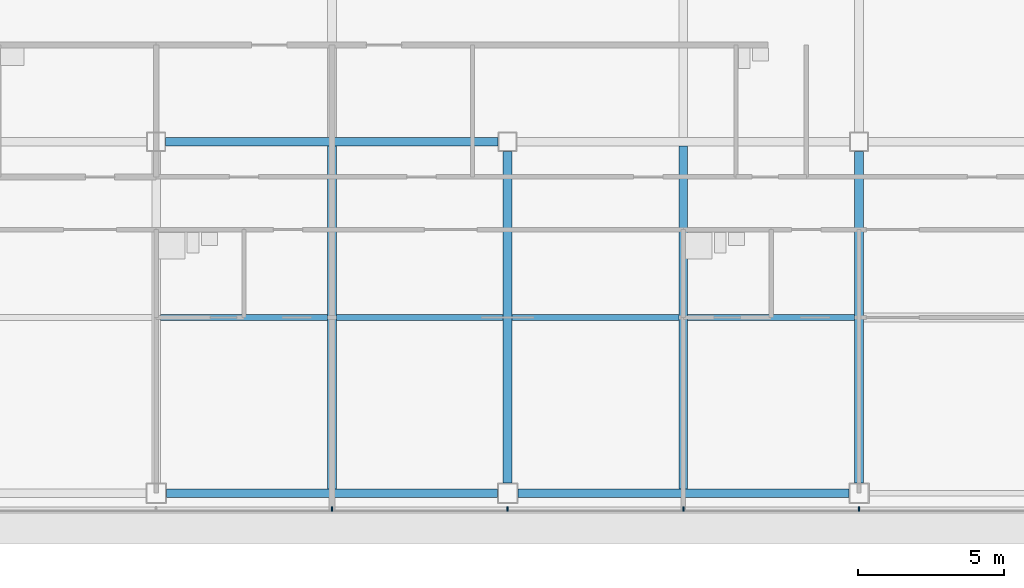
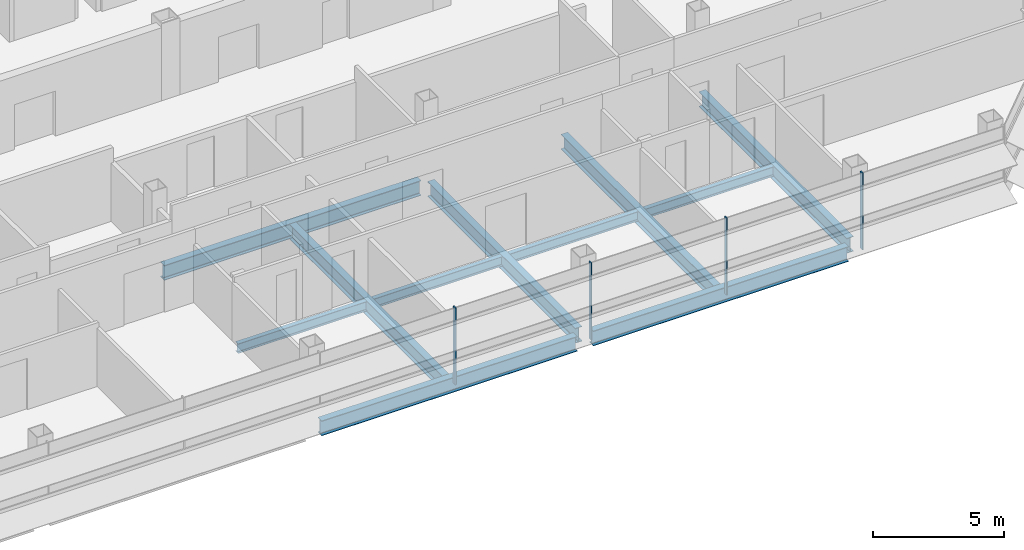
# One storey, part 8 of 24: 11 beams, 4 members, 1 element without a shape of its own.
"""IFC4 building model written with IfcOpenShell, lengths in metres."""

from ifc_helpers import new_model, si_unit, direction, frame, origin, origin_2d, place, context, subcontext, project, spatial, rectangle, i_section, extrude, material, material_profile, profile_set, type_object, element, aggregate, save


model = new_model("IFC4")

# Units and contexts
model_context = context("Model", 3, precision=1e-05, world=origin(), true_north=direction((0.0, 1.0)))
body_context = subcontext(model_context, "Body", "Model", "MODEL_VIEW")
ifc_project = project(units=[si_unit("LENGTHUNIT", "METRE"), si_unit("AREAUNIT", "SQUARE_METRE"), si_unit("VOLUMEUNIT", "CUBIC_METRE"), si_unit("PLANEANGLEUNIT", "RADIAN"), si_unit("MASSUNIT", "GRAM", prefix="KILO")], contexts=[model_context])

# Site, building, storey
site_placement = place(None, origin())
site = spatial("IfcSite", under=ifc_project, at=site_placement, CompositionType="ELEMENT")
building_placement = place(site_placement, origin())
building = spatial("IfcBuilding", under=site, at=building_placement, Name="Sorahane Residences", CompositionType="ELEMENT")
storey_placement = place(building_placement, frame((0.0, 0.0, 178.0)))
storey = spatial("IfcBuildingStorey", under=building, at=storey_placement, Name="L41", CompositionType="ELEMENT", Elevation=178.0)

# Curtain wall, members
ifc_material_1 = material(Name="Dark low-e glass and black anodised aluminium", Category="aluminium")
curtain_wall_type = type_object("IfcCurtainWallType", Name="Curtain wall CW-1 Typical unitised wall", PredefinedType="NOTDEFINED", material=ifc_material_1)
curtain_wall_placement = place(storey_placement, origin())
curtain_wall = element("IfcCurtainWall", 1, at=curtain_wall_placement, inside=storey, type_object=curtain_wall_type, Name="CW-1 curtain wall L41 S1", PredefinedType="NOTDEFINED")
ifc_material_2 = material(Name="Black anodised aluminium", Category="aluminium")
ifc_material_profile_1 = material_profile(ifc_material_2, rectangle(XDim=0.159912109375, YDim=0.050048828125, at=origin_2d()), Name="Curtain wall mullion CW-1 black anodised aluminium 50x160")
ifc_profile_set_1 = profile_set([ifc_material_profile_1], Name="Black anodised aluminium")
member_type = type_object("IfcMemberType", Name="Curtain wall mullion CW-1 black anodised aluminium 50x160", PredefinedType="MULLION", material=ifc_profile_set_1)
member_1_placement = place(storey_placement, frame((30.0, -0.5400390625, -0.179931640625), z_axis=(0.0, 0.0, 1.0), x_axis=(0.0, -1.0, 0.0)))
member_1 = element("IfcMember", 2, at=member_1_placement, type_object=member_type, Name="CW-1 mullion L41 S1.6", PredefinedType="MULLION", context=body_context, shape_type="SweptSolid", body=[
    extrude(rectangle(XDim=0.159912109375, YDim=0.050048828125, at=origin_2d()), origin(), (0.0, 0.0, 1.0), 3.599853515625),
])
member_2_placement = place(storey_placement, frame((36.0, -0.5400390625, -0.179931640625), z_axis=(0.0, 0.0, 1.0), x_axis=(0.0, -1.0, 0.0)))
member_2 = element("IfcMember", 3, at=member_2_placement, type_object=member_type, Name="CW-1 mullion L41 S1.7", PredefinedType="MULLION", context=body_context, shape_type="SweptSolid", body=[
    extrude(rectangle(XDim=0.159912109375, YDim=0.050048828125, at=origin_2d()), origin(), (0.0, 0.0, 1.0), 3.599853515625),
])
member_3_placement = place(storey_placement, frame((42.0, -0.5400390625, -0.179931640625), z_axis=(0.0, 0.0, 1.0), x_axis=(0.0, -1.0, 0.0)))
member_3 = element("IfcMember", 4, at=member_3_placement, type_object=member_type, Name="CW-1 mullion L41 S1.8", PredefinedType="MULLION", context=body_context, shape_type="SweptSolid", body=[
    extrude(rectangle(XDim=0.159912109375, YDim=0.050048828125, at=origin_2d()), origin(), (0.0, 0.0, 1.0), 3.599853515625),
])
member_4_placement = place(storey_placement, frame((48.0, -0.5400390625, -0.179931640625), z_axis=(0.0, 0.0, 1.0), x_axis=(0.0, -1.0, 0.0)))
member_4 = element("IfcMember", 5, at=member_4_placement, type_object=member_type, Name="CW-1 mullion L41 S1.9", PredefinedType="MULLION", context=body_context, shape_type="SweptSolid", body=[
    extrude(rectangle(XDim=0.159912109375, YDim=0.050048828125, at=origin_2d()), origin(), (0.0, 0.0, 1.0), 3.599853515625),
])
aggregate(curtain_wall, [member_1, member_2, member_3, member_4])

# Beams
ifc_material_3 = material(Name="Steel Q355B", Category="steel")
ifc_material_profile_2 = material_profile(ifc_material_3, i_section(OverallWidth=0.199951171875, OverallDepth=0.449951171875, WebThickness=0.009033203125, FlangeThickness=0.013916015625, FilletRadius=0.02001953125, at=origin_2d()), Name="HN 450x200x9x14")
ifc_profile_set_2 = profile_set([ifc_material_profile_2], Name="Steel Q355B")
beam_type_1 = type_object("IfcBeamType", Name="Steel floor beam HN 450x200x9x14 Q355B", PredefinedType="BEAM", material=ifc_profile_set_2)
for number, where, z_axis, x_axis, name in (
    (6, (24.14990234375, 6.0, -0.405029296875), (1.0, 0.0, 0.0), (0.0, 1.0, 0.0), "Beam L41 073"),
    (7, (30.14990234375, 6.0, -0.405029296875), (1.0, 0.0, 0.0), (0.0, 1.0, 0.0), "Beam L41 074"),
    (8, (36.14990234375, 6.0, -0.405029296875), (1.0, 0.0, 0.0), (0.0, 1.0, 0.0), "Beam L41 075"),
    (9, (42.14990234375, 6.0, -0.405029296875), (1.0, 0.0, 0.0), (0.0, 1.0, 0.0), "Beam L41 076"),
):
    element("IfcBeam", number, at=place(storey_placement, frame(where, z_axis=z_axis, x_axis=x_axis)), inside=storey, type_object=beam_type_1, Name=name, PredefinedType="BEAM", context=body_context, shape_type="SweptSolid", body=[
        extrude(i_section(OverallWidth=0.199951171875, OverallDepth=0.449951171875, WebThickness=0.009033203125, FlangeThickness=0.013916015625, FilletRadius=0.02001953125, at=origin_2d()), origin(), (0.0, 0.0, 1.0), 5.7001953125),
    ])
ifc_material_4 = material(Name="Steel Q355B", Category="steel")
ifc_material_profile_3 = material_profile(ifc_material_4, i_section(OverallWidth=0.300048828125, OverallDepth=0.699951171875, WebThickness=0.012939453125, FlangeThickness=0.02392578125, FilletRadius=0.028076171875, at=origin_2d()), Name="HN 700x300x13x24")
ifc_profile_set_3 = profile_set([ifc_material_profile_3], Name="Steel Q355B")
beam_type_2 = type_object("IfcBeamType", Name="Steel floor beam HN 700x300x13x24 Q355B", PredefinedType="BEAM", material=ifc_profile_set_3)
for number, where, z_axis, x_axis, name in (
    (10, (24.35009765625, 0.0, -0.530029296875), (1.0, 0.0, 0.0), (0.0, 1.0, 0.0), "Beam L41 002"),
    (11, (36.35009765625, 0.0, -0.530029296875), (1.0, 0.0, 0.0), (0.0, 1.0, 0.0), "Beam L41 003"),
):
    element("IfcBeam", number, at=place(storey_placement, frame(where, z_axis=z_axis, x_axis=x_axis)), inside=storey, type_object=beam_type_2, Name=name, PredefinedType="BEAM", context=body_context, shape_type="SweptSolid", body=[
        extrude(i_section(OverallWidth=0.300048828125, OverallDepth=0.699951171875, WebThickness=0.012939453125, FlangeThickness=0.02392578125, FilletRadius=0.028076171875, at=origin_2d()), origin(), (0.0, 0.0, 1.0), 11.2998046875),
    ])
beam_1_placement = place(storey_placement, frame((24.324951171875, 12.0, -0.530029296875), z_axis=(1.0, 0.0, 0.0), x_axis=(0.0, 1.0, 0.0)))
element("IfcBeam", 12, at=beam_1_placement, inside=storey, type_object=beam_type_2, Name="Beam L41 008", PredefinedType="BEAM", context=body_context, shape_type="SweptSolid", body=[
    extrude(i_section(OverallWidth=0.300048828125, OverallDepth=0.699951171875, WebThickness=0.012939453125, FlangeThickness=0.02392578125, FilletRadius=0.028076171875, at=origin_2d()), origin(), (0.0, 0.0, 1.0), 11.35009765625),
])
beam_2_placement = place(storey_placement, frame((30.0, 0.14990234375, -0.530029296875), z_axis=(0.0, 1.0, 0.0), x_axis=(-1.0, 0.0, 0.0)))
element("IfcBeam", 13, at=beam_2_placement, inside=storey, type_object=beam_type_2, Name="Beam L41 044", PredefinedType="BEAM", context=body_context, shape_type="SweptSolid", body=[
    extrude(i_section(OverallWidth=0.300048828125, OverallDepth=0.699951171875, WebThickness=0.012939453125, FlangeThickness=0.02392578125, FilletRadius=0.028076171875, at=origin_2d()), origin(), (0.0, 0.0, 1.0), 11.7001953125),
])
beam_3_placement = place(storey_placement, frame((36.0, 0.35009765625, -0.530029296875), z_axis=(0.0, 1.0, 0.0), x_axis=(-1.0, 0.0, 0.0)))
element("IfcBeam", 14, at=beam_3_placement, inside=storey, type_object=beam_type_2, Name="Beam L41 050", PredefinedType="BEAM", context=body_context, shape_type="SweptSolid", body=[
    extrude(i_section(OverallWidth=0.300048828125, OverallDepth=0.699951171875, WebThickness=0.012939453125, FlangeThickness=0.02392578125, FilletRadius=0.028076171875, at=origin_2d()), origin(), (0.0, 0.0, 1.0), 11.324951171875),
])
beam_4_placement = place(storey_placement, frame((42.0, 0.14990234375, -0.530029296875), z_axis=(0.0, 1.0, 0.0), x_axis=(-1.0, 0.0, 0.0)))
element("IfcBeam", 15, at=beam_4_placement, inside=storey, type_object=beam_type_2, Name="Beam L41 052", PredefinedType="BEAM", context=body_context, shape_type="SweptSolid", body=[
    extrude(i_section(OverallWidth=0.300048828125, OverallDepth=0.699951171875, WebThickness=0.012939453125, FlangeThickness=0.02392578125, FilletRadius=0.028076171875, at=origin_2d()), origin(), (0.0, 0.0, 1.0), 11.7001953125),
])
beam_5_placement = place(storey_placement, frame((48.0, 0.35009765625, -0.530029296875), z_axis=(0.0, 1.0, 0.0), x_axis=(-1.0, 0.0, 0.0)))
element("IfcBeam", 16, at=beam_5_placement, inside=storey, type_object=beam_type_2, Name="Beam L41 058", PredefinedType="BEAM", context=body_context, shape_type="SweptSolid", body=[
    extrude(i_section(OverallWidth=0.300048828125, OverallDepth=0.699951171875, WebThickness=0.012939453125, FlangeThickness=0.02392578125, FilletRadius=0.028076171875, at=origin_2d()), origin(), (0.0, 0.0, 1.0), 11.324951171875),
])

save(model, "model.ifc")
